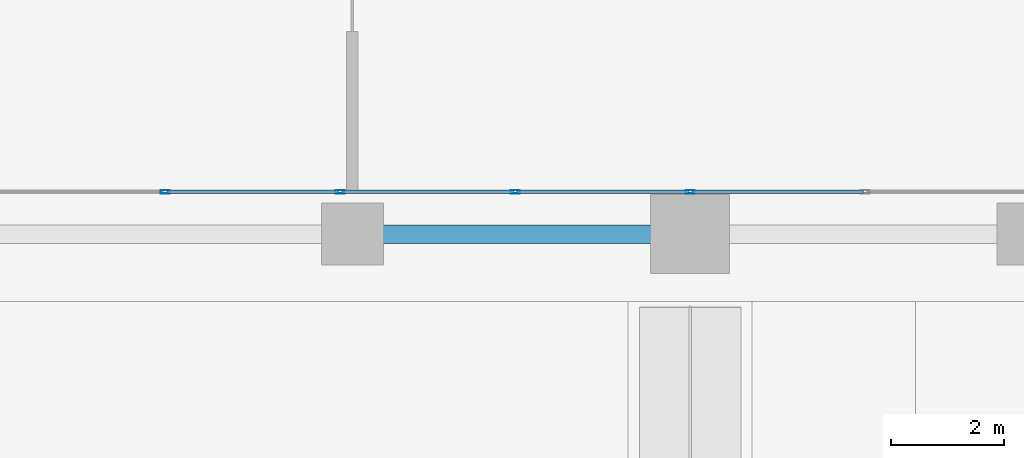
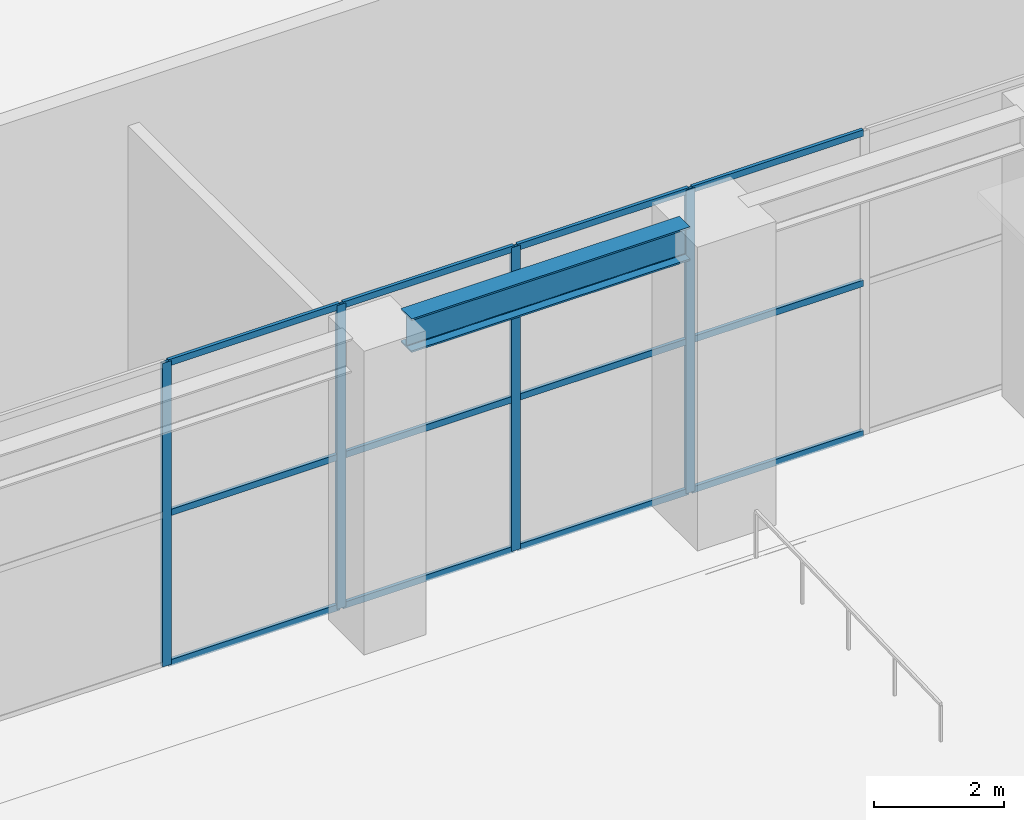
# One storey, part 15 of 49: 16 members, 1 beam, 1 element without a shape of its own.
"""IFC4 building model written with IfcOpenShell, lengths in metres."""

from ifc_helpers import new_model, si_unit, direction, frame, origin, origin_2d, place, context, subcontext, project, spatial, hollow_rectangle, i_section, extrude, material, layer, layer_set, material_profile, profile_set, type_object, element, aggregate, save


model = new_model("IFC4")

# Units and contexts
model_context = context("Model", 3, precision=1e-05, world=origin(), true_north=direction((0.0, 1.0)))
body_context = subcontext(model_context, "Body", "Model", "MODEL_VIEW")
ifc_project = project(units=[si_unit("LENGTHUNIT", "METRE"), si_unit("AREAUNIT", "SQUARE_METRE"), si_unit("VOLUMEUNIT", "CUBIC_METRE"), si_unit("PLANEANGLEUNIT", "RADIAN"), si_unit("MASSUNIT", "GRAM", prefix="KILO")], contexts=[model_context])

# Site, building, storey
site_placement = place(None, origin())
site = spatial("IfcSite", under=ifc_project, at=site_placement, CompositionType="ELEMENT")
building_placement = place(site_placement, origin())
building = spatial("IfcBuilding", under=site, at=building_placement, Name="Sarneth Arch Tower", CompositionType="ELEMENT")
storey_placement = place(building_placement, origin())
storey = spatial("IfcBuildingStorey", under=building, at=storey_placement, Name="L00", CompositionType="ELEMENT", Elevation=0.0)

# Beam
ifc_material_1 = material(Name="Steel S355", Category="steel")
ifc_material_profile_1 = material_profile(ifc_material_1, i_section(OverallWidth=0.3291015625, OverallDepth=0.635009765625, WebThickness=0.017822265625, FlangeThickness=0.031005859375, FilletRadius=0.01904296875, at=origin_2d()), Name="W610x241")
ifc_profile_set_1 = profile_set([ifc_material_profile_1], Name="Steel S355")
beam_type = type_object("IfcBeamType", Name="BM-POD-610", PredefinedType="BEAM", material=ifc_profile_set_1)
beam_placement = place(storey_placement, frame((42.52001953125, 9.199951171875, 5.402587890625), z_axis=(1.0, 0.0, 0.0), x_axis=(0.0, 1.0, 0.0)))
element("IfcBeam", 1, at=beam_placement, inside=storey, type_object=beam_type, Name="L00 Podium PS girder 4", PredefinedType="BEAM", context=body_context, shape_type="SweptSolid", body=[
    extrude(i_section(OverallWidth=0.3291015625, OverallDepth=0.635009765625, WebThickness=0.017822265625, FlangeThickness=0.031005859375, FilletRadius=0.01904296875, at=origin_2d()), origin(), (0.0, 0.0, 1.0), 4.9599609375),
])

# Curtain wall, members
ifc_material_2 = material(Name="Anodised aluminium Type AA25 and solar-control low-e laminated IGU", Category="aluminium")
ifc_layer = layer(ifc_material_2, 0.199951171875)
ifc_layer_set = layer_set([ifc_layer], Name="Anodised aluminium Type AA25 and solar-control low-e laminated IGU")
curtain_wall_type = type_object("IfcCurtainWallType", Name="CW-ARCH-GLAZE", PredefinedType="NOTDEFINED", material=ifc_layer_set)
curtain_wall_placement = place(storey_placement, origin())
curtain_wall = element("IfcCurtainWall", 2, at=curtain_wall_placement, inside=storey, type_object=curtain_wall_type, Name="L00 South parabolic arch portal curtain wall", PredefinedType="NOTDEFINED")
ifc_material_3 = material(Name="Anodised Aluminium 6063-T6", Category="aluminium")
ifc_material_profile_2 = material_profile(ifc_material_3, hollow_rectangle(XDim=0.06005859375, YDim=0.159912109375, WallThickness=0.00390625, at=origin_2d()), Name="AL-MULL-160x60x4")
ifc_profile_set_2 = profile_set([ifc_material_profile_2], Name="Anodised Aluminium 6063-T6")
member_type_1 = type_object("IfcMemberType", Name="CW-MULLION", PredefinedType="MULLION", material=ifc_profile_set_2)
member_1_placement = place(storey_placement, frame((38.675048828125, 9.949951171875, 0.0), z_axis=(0.0, 0.0, 1.0), x_axis=(0.0, 1.0, 0.0)))
member_1 = element("IfcMember", 3, at=member_1_placement, type_object=member_type_1, Name="CW-SYS-2 mullion 4", PredefinedType="MULLION", context=body_context, shape_type="SweptSolid", body=[
    extrude(hollow_rectangle(XDim=0.06005859375, YDim=0.159912109375, WallThickness=0.00390625, at=origin_2d()), origin(), (0.0, 0.0, 1.0), 5.719970703125),
])
member_2_placement = place(storey_placement, frame((41.783447265625, 9.949951171875, 0.0), z_axis=(0.0, 0.0, 1.0), x_axis=(0.0, 1.0, 0.0)))
member_2 = element("IfcMember", 4, at=member_2_placement, type_object=member_type_1, Name="CW-SYS-2 mullion 5", PredefinedType="MULLION", context=body_context, shape_type="SweptSolid", body=[
    extrude(hollow_rectangle(XDim=0.06005859375, YDim=0.159912109375, WallThickness=0.00390625, at=origin_2d()), origin(), (0.0, 0.0, 1.0), 5.719970703125),
])
member_3_placement = place(storey_placement, frame((44.8916015625, 9.949951171875, 0.0), z_axis=(0.0, 0.0, 1.0), x_axis=(0.0, 1.0, 0.0)))
member_3 = element("IfcMember", 5, at=member_3_placement, type_object=member_type_1, Name="CW-SYS-2 mullion 6", PredefinedType="MULLION", context=body_context, shape_type="SweptSolid", body=[
    extrude(hollow_rectangle(XDim=0.06005859375, YDim=0.159912109375, WallThickness=0.00390625, at=origin_2d()), origin(), (0.0, 0.0, 1.0), 5.719970703125),
])
member_4_placement = place(storey_placement, frame((48.0, 9.949951171875, 0.0), z_axis=(0.0, 0.0, 1.0), x_axis=(0.0, 1.0, 0.0)))
member_4 = element("IfcMember", 6, at=member_4_placement, type_object=member_type_1, Name="CW-SYS-2 mullion 7", PredefinedType="MULLION", context=body_context, shape_type="SweptSolid", body=[
    extrude(hollow_rectangle(XDim=0.06005859375, YDim=0.159912109375, WallThickness=0.00390625, at=origin_2d()), origin(), (0.0, 0.0, 1.0), 5.719970703125),
])
ifc_material_4 = material(Name="Anodised Aluminium 6063-T6", Category="aluminium")
ifc_material_profile_3 = material_profile(ifc_material_4, hollow_rectangle(XDim=0.06005859375, YDim=0.1201171875, WallThickness=0.00390625, at=origin_2d()), Name="AL-TRAN-120x60x4")
ifc_profile_set_3 = profile_set([ifc_material_profile_3], Name="Anodised Aluminium 6063-T6")
member_type_2 = type_object("IfcMemberType", Name="CW-TRANSOM", PredefinedType="USERDEFINED", material=ifc_profile_set_3)
member_5_placement = place(storey_placement, frame((38.705078125, 9.949951171875, 0.030029296875), z_axis=(1.0, 0.0, 0.0), x_axis=(0.0, 1.0, 0.0)))
member_5 = element("IfcMember", 7, at=member_5_placement, type_object=member_type_2, Name="CW-SYS-2 transom 4.1", ObjectType="TRANSOM", PredefinedType="USERDEFINED", context=body_context, shape_type="SweptSolid", body=[
    extrude(hollow_rectangle(XDim=0.06005859375, YDim=0.1201171875, WallThickness=0.00390625, at=origin_2d()), origin(), (0.0, 0.0, 1.0), 3.04833984375),
])
member_6_placement = place(storey_placement, frame((38.705078125, 9.949951171875, 2.860107421875), z_axis=(1.0, 0.0, 0.0), x_axis=(0.0, 1.0, 0.0)))
member_6 = element("IfcMember", 8, at=member_6_placement, type_object=member_type_2, Name="CW-SYS-2 transom 4.2", ObjectType="TRANSOM", PredefinedType="USERDEFINED", context=body_context, shape_type="SweptSolid", body=[
    extrude(hollow_rectangle(XDim=0.06005859375, YDim=0.1201171875, WallThickness=0.00390625, at=origin_2d()), origin(), (0.0, 0.0, 1.0), 3.04833984375),
])
member_7_placement = place(storey_placement, frame((38.705078125, 9.949951171875, 5.68994140625), z_axis=(1.0, 0.0, 0.0), x_axis=(0.0, 1.0, 0.0)))
member_7 = element("IfcMember", 9, at=member_7_placement, type_object=member_type_2, Name="CW-SYS-2 transom 4.3", ObjectType="TRANSOM", PredefinedType="USERDEFINED", context=body_context, shape_type="SweptSolid", body=[
    extrude(hollow_rectangle(XDim=0.06005859375, YDim=0.1201171875, WallThickness=0.00390625, at=origin_2d()), origin(), (0.0, 0.0, 1.0), 3.04833984375),
])
member_8_placement = place(storey_placement, frame((41.813232421875, 9.949951171875, 0.030029296875), z_axis=(1.0, 0.0, 0.0), x_axis=(0.0, 1.0, 0.0)))
member_8 = element("IfcMember", 10, at=member_8_placement, type_object=member_type_2, Name="CW-SYS-2 transom 5.1", ObjectType="TRANSOM", PredefinedType="USERDEFINED", context=body_context, shape_type="SweptSolid", body=[
    extrude(hollow_rectangle(XDim=0.06005859375, YDim=0.1201171875, WallThickness=0.00390625, at=origin_2d()), origin(), (0.0, 0.0, 1.0), 3.04833984375),
])
member_9_placement = place(storey_placement, frame((41.813232421875, 9.949951171875, 2.860107421875), z_axis=(1.0, 0.0, 0.0), x_axis=(0.0, 1.0, 0.0)))
member_9 = element("IfcMember", 11, at=member_9_placement, type_object=member_type_2, Name="CW-SYS-2 transom 5.2", ObjectType="TRANSOM", PredefinedType="USERDEFINED", context=body_context, shape_type="SweptSolid", body=[
    extrude(hollow_rectangle(XDim=0.06005859375, YDim=0.1201171875, WallThickness=0.00390625, at=origin_2d()), origin(), (0.0, 0.0, 1.0), 3.04833984375),
])
member_10_placement = place(storey_placement, frame((41.813232421875, 9.949951171875, 5.68994140625), z_axis=(1.0, 0.0, 0.0), x_axis=(0.0, 1.0, 0.0)))
member_10 = element("IfcMember", 12, at=member_10_placement, type_object=member_type_2, Name="CW-SYS-2 transom 5.3", ObjectType="TRANSOM", PredefinedType="USERDEFINED", context=body_context, shape_type="SweptSolid", body=[
    extrude(hollow_rectangle(XDim=0.06005859375, YDim=0.1201171875, WallThickness=0.00390625, at=origin_2d()), origin(), (0.0, 0.0, 1.0), 3.04833984375),
])
member_11_placement = place(storey_placement, frame((44.921630859375, 9.949951171875, 0.030029296875), z_axis=(1.0, 0.0, 0.0), x_axis=(0.0, 1.0, 0.0)))
member_11 = element("IfcMember", 13, at=member_11_placement, type_object=member_type_2, Name="CW-SYS-2 transom 6.1", ObjectType="TRANSOM", PredefinedType="USERDEFINED", context=body_context, shape_type="SweptSolid", body=[
    extrude(hollow_rectangle(XDim=0.06005859375, YDim=0.1201171875, WallThickness=0.00390625, at=origin_2d()), origin(), (0.0, 0.0, 1.0), 3.04833984375),
])
member_12_placement = place(storey_placement, frame((44.921630859375, 9.949951171875, 2.860107421875), z_axis=(1.0, 0.0, 0.0), x_axis=(0.0, 1.0, 0.0)))
member_12 = element("IfcMember", 14, at=member_12_placement, type_object=member_type_2, Name="CW-SYS-2 transom 6.2", ObjectType="TRANSOM", PredefinedType="USERDEFINED", context=body_context, shape_type="SweptSolid", body=[
    extrude(hollow_rectangle(XDim=0.06005859375, YDim=0.1201171875, WallThickness=0.00390625, at=origin_2d()), origin(), (0.0, 0.0, 1.0), 3.04833984375),
])
member_13_placement = place(storey_placement, frame((44.921630859375, 9.949951171875, 5.68994140625), z_axis=(1.0, 0.0, 0.0), x_axis=(0.0, 1.0, 0.0)))
member_13 = element("IfcMember", 15, at=member_13_placement, type_object=member_type_2, Name="CW-SYS-2 transom 6.3", ObjectType="TRANSOM", PredefinedType="USERDEFINED", context=body_context, shape_type="SweptSolid", body=[
    extrude(hollow_rectangle(XDim=0.06005859375, YDim=0.1201171875, WallThickness=0.00390625, at=origin_2d()), origin(), (0.0, 0.0, 1.0), 3.04833984375),
])
member_14_placement = place(storey_placement, frame((48.030029296875, 9.949951171875, 0.030029296875), z_axis=(1.0, 0.0, 0.0), x_axis=(0.0, 1.0, 0.0)))
member_14 = element("IfcMember", 16, at=member_14_placement, type_object=member_type_2, Name="CW-SYS-2 transom 7.1", ObjectType="TRANSOM", PredefinedType="USERDEFINED", context=body_context, shape_type="SweptSolid", body=[
    extrude(hollow_rectangle(XDim=0.06005859375, YDim=0.1201171875, WallThickness=0.00390625, at=origin_2d()), origin(), (0.0, 0.0, 1.0), 3.04833984375),
])
member_15_placement = place(storey_placement, frame((48.030029296875, 9.949951171875, 2.860107421875), z_axis=(1.0, 0.0, 0.0), x_axis=(0.0, 1.0, 0.0)))
member_15 = element("IfcMember", 17, at=member_15_placement, type_object=member_type_2, Name="CW-SYS-2 transom 7.2", ObjectType="TRANSOM", PredefinedType="USERDEFINED", context=body_context, shape_type="SweptSolid", body=[
    extrude(hollow_rectangle(XDim=0.06005859375, YDim=0.1201171875, WallThickness=0.00390625, at=origin_2d()), origin(), (0.0, 0.0, 1.0), 3.04833984375),
])
member_16_placement = place(storey_placement, frame((48.030029296875, 9.949951171875, 5.68994140625), z_axis=(1.0, 0.0, 0.0), x_axis=(0.0, 1.0, 0.0)))
member_16 = element("IfcMember", 18, at=member_16_placement, type_object=member_type_2, Name="CW-SYS-2 transom 7.3", ObjectType="TRANSOM", PredefinedType="USERDEFINED", context=body_context, shape_type="SweptSolid", body=[
    extrude(hollow_rectangle(XDim=0.06005859375, YDim=0.1201171875, WallThickness=0.00390625, at=origin_2d()), origin(), (0.0, 0.0, 1.0), 3.04833984375),
])
aggregate(curtain_wall, [member_1, member_2, member_3, member_4, member_5, member_6, member_7, member_8, member_9, member_10, member_11, member_12, member_13, member_14, member_15, member_16])

save(model, "model.ifc")
